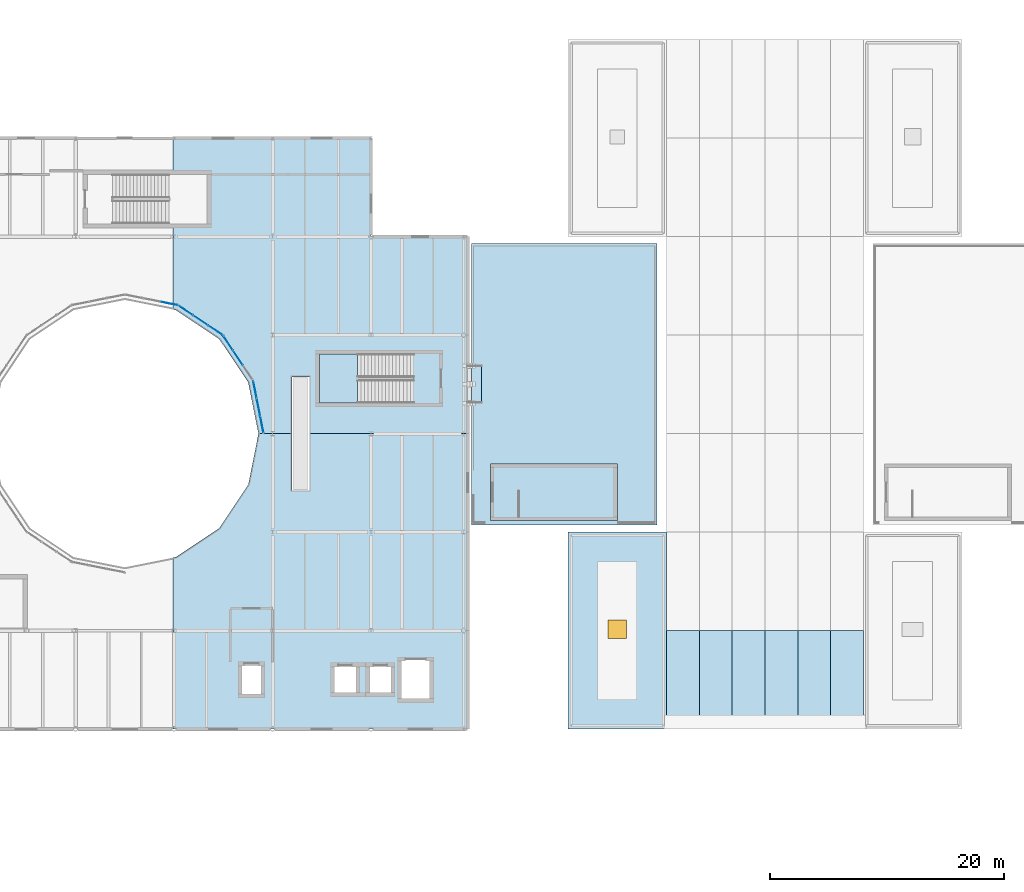
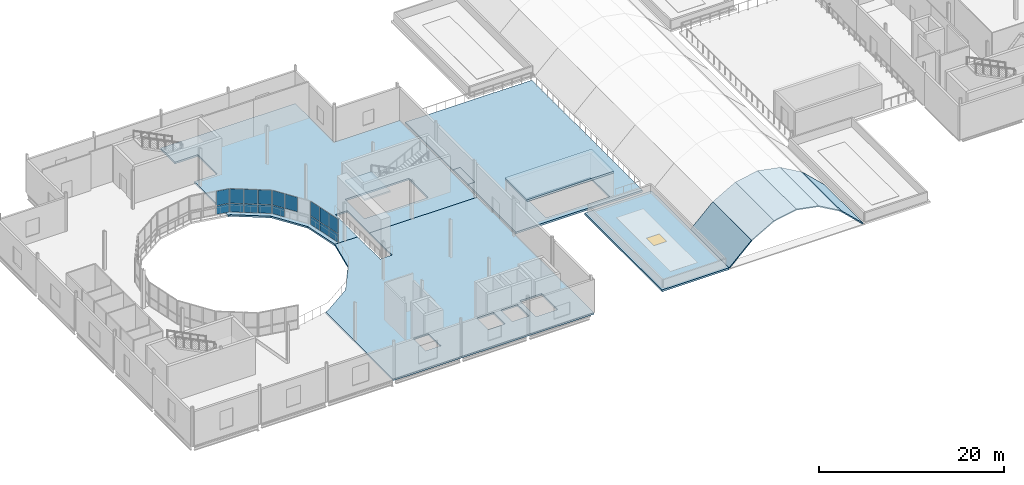
# One storey, part 60 of 91: 17 plates, 13 slabs, 1 window, 1 opening, 5 elements without a shape of their own.
"""IFC4 building model written with IfcOpenShell, lengths in metres."""

from ifc_helpers import new_model, si_unit, direction, frame, origin, origin_2d, place, context, subcontext, project, spatial, polyline, rectangle, outline, extrude, material, layer, layer_set, type_object, element, fill, aggregate, save


model = new_model("IFC4")

# Units and contexts
model_context = context("Model", 3, precision=1e-05, world=origin(), true_north=direction((0.0, 1.0)))
body_context = subcontext(model_context, "Body", "Model", "MODEL_VIEW")
ifc_project = project(units=[si_unit("LENGTHUNIT", "METRE"), si_unit("AREAUNIT", "SQUARE_METRE"), si_unit("VOLUMEUNIT", "CUBIC_METRE"), si_unit("PLANEANGLEUNIT", "RADIAN"), si_unit("MASSUNIT", "GRAM", prefix="KILO"), si_unit("THERMODYNAMICTEMPERATUREUNIT", "KELVIN")], contexts=[model_context])

# Site, building, storey
site_placement = place(None, origin())
site = spatial("IfcSite", under=ifc_project, at=site_placement, CompositionType="ELEMENT")
building_placement = place(site_placement, origin())
building = spatial("IfcBuilding", under=site, at=building_placement, Name="Lustrewick Department Store", CompositionType="ELEMENT")
storey_placement = place(building_placement, frame((0.0, 0.0, 21.60009765625)))
storey = spatial("IfcBuildingStorey", under=building, at=storey_placement, Name="L05", CompositionType="ELEMENT", Elevation=21.60009765625)

# Curtain wall, plates
ifc_material_1 = material(Name="Thermally broken aluminium 6063-T5", Category="aluminium")
ifc_layer_1 = layer(ifc_material_1, 0.169921875, Name="Thermally broken aluminium 6063-T5")
ifc_layer_set_1 = layer_set([ifc_layer_1], Name="Thermally broken aluminium 6063-T5")
curtain_wall_type_1 = type_object("IfcCurtainWallType", Name="CW16", PredefinedType="NOTDEFINED", material=ifc_layer_set_1)
curtain_wall_1_placement = place(storey_placement, origin())
curtain_wall_1 = element("IfcCurtainWall", 1, at=curtain_wall_1_placement, inside=storey, type_object=curtain_wall_type_1, Name="L05 Atrium Glazed Screen CW16", PredefinedType="NOTDEFINED")
ifc_material_2 = material(Name="Fire-protective atrium safety glass", Category="glass")
ifc_layer_2 = layer(ifc_material_2, 0.02490234375, Name="Fire-protective atrium safety glass")
ifc_layer_set_2 = layer_set([ifc_layer_2], Name="Fire-protective atrium safety glass")
plate_type_1 = type_object("IfcPlateType", Name="CP06", PredefinedType="CURTAIN_PANEL", material=ifc_layer_set_2)
plate_1_placement = place(storey_placement, frame((37.125, 76.016357421875, 0.06494140625), z_axis=(0.0, 0.0, 1.0), x_axis=(-0.831464212799, 0.555578313862, 0.0)))
plate_1 = element("IfcPlate", 2, at=plate_1_placement, type_object=plate_type_1, Name="CW16 panel 1.1", PredefinedType="CURTAIN_PANEL", context=body_context, shape_type="SweptSolid", body=[
    extrude(rectangle(XDim=1.443603515625, YDim=0.02490234375, at=origin_2d()), origin(), (0.0, 0.0, 1.0), 1.1025390625),
])
plate_2_placement = place(storey_placement, frame((37.125, 76.016357421875, 1.232421875), z_axis=(0.0, 0.0, 1.0), x_axis=(-0.831464212799, 0.555578313862, 0.0)))
plate_2 = element("IfcPlate", 3, at=plate_2_placement, type_object=plate_type_1, Name="CW16 panel 1.2", PredefinedType="CURTAIN_PANEL", context=body_context, shape_type="SweptSolid", body=[
    extrude(rectangle(XDim=1.443603515625, YDim=0.02490234375, at=origin_2d()), origin(), (0.0, 0.0, 1.0), 1.902587890625),
])
plate_3_placement = place(storey_placement, frame((35.85693359375, 76.863525390625, 0.06494140625), z_axis=(0.0, 0.0, 1.0), x_axis=(-0.831464212799, 0.555578313862, 0.0)))
plate_3 = element("IfcPlate", 4, at=plate_3_placement, type_object=plate_type_1, Name="CW16 panel 2.1", PredefinedType="CURTAIN_PANEL", context=body_context, shape_type="SweptSolid", body=[
    extrude(rectangle(XDim=1.476318359375, YDim=0.02490234375, at=origin_2d()), origin(), (0.0, 0.0, 1.0), 1.1025390625),
])
plate_4_placement = place(storey_placement, frame((35.85693359375, 76.863525390625, 1.232421875), z_axis=(0.0, 0.0, 1.0), x_axis=(-0.831464212799, 0.555578313862, 0.0)))
plate_4 = element("IfcPlate", 5, at=plate_4_placement, type_object=plate_type_1, Name="CW16 panel 2.2", PredefinedType="CURTAIN_PANEL", context=body_context, shape_type="SweptSolid", body=[
    extrude(rectangle(XDim=1.476318359375, YDim=0.02490234375, at=origin_2d()), origin(), (0.0, 0.0, 1.0), 1.902587890625),
])
plate_5_placement = place(storey_placement, frame((34.589111328125, 77.7109375, 0.06494140625), z_axis=(0.0, 0.0, 1.0), x_axis=(-0.831464212799, 0.555578313862, 0.0)))
plate_5 = element("IfcPlate", 6, at=plate_5_placement, type_object=plate_type_1, Name="CW16 panel 3.1", PredefinedType="CURTAIN_PANEL", context=body_context, shape_type="SweptSolid", body=[
    extrude(rectangle(XDim=1.443603515625, YDim=0.02490234375, at=origin_2d()), origin(), (0.0, 0.0, 1.0), 1.1025390625),
])
plate_6_placement = place(storey_placement, frame((34.589111328125, 77.7109375, 1.232421875), z_axis=(0.0, 0.0, 1.0), x_axis=(-0.831464212799, 0.555578313862, 0.0)))
plate_6 = element("IfcPlate", 7, at=plate_6_placement, type_object=plate_type_1, Name="CW16 panel 3.2", PredefinedType="CURTAIN_PANEL", context=body_context, shape_type="SweptSolid", body=[
    extrude(rectangle(XDim=1.443603515625, YDim=0.02490234375, at=origin_2d()), origin(), (0.0, 0.0, 1.0), 1.902587890625),
])
aggregate(curtain_wall_1, [plate_1, plate_2, plate_3, plate_4, plate_5, plate_6])

ifc_layer_3 = layer(ifc_material_1, 0.159912109375, Name="Thermally broken aluminium 6063-T5")
ifc_layer_set_3 = layer_set([ifc_layer_3], Name="Thermally broken aluminium 6063-T5")
curtain_wall_type_2 = type_object("IfcCurtainWallType", Name="CW17", PredefinedType="NOTDEFINED", material=ifc_layer_set_3)
curtain_wall_2_placement = place(storey_placement, origin())
curtain_wall_2 = element("IfcCurtainWall", 8, at=curtain_wall_2_placement, inside=storey, type_object=curtain_wall_type_2, Name="L05 Atrium Glazed Screen CW17", PredefinedType="NOTDEFINED")
ifc_layer_4 = layer(ifc_material_2, 0.027099609375, Name="Fire-protective atrium safety glass")
ifc_layer_set_4 = layer_set([ifc_layer_4], Name="Fire-protective atrium safety glass")
plate_type_2 = type_object("IfcPlateType", Name="CP07", PredefinedType="CURTAIN_PANEL", material=ifc_layer_set_4)
plate_7_placement = place(storey_placement, frame((41.0966796875, 67.970458984375, 0.06005859375), z_axis=(0.0, 0.0, 1.0), x_axis=(-0.195084537521, 0.980786430993, 0.0)))
plate_7 = element("IfcPlate", 9, at=plate_7_placement, type_object=plate_type_2, Name="CW17 panel 1.1", PredefinedType="CURTAIN_PANEL", context=body_context, shape_type="SweptSolid", body=[
    extrude(rectangle(XDim=1.451171875, YDim=0.027099609375, at=origin_2d()), origin(), (0.0, 0.0, 1.0), 1.110107421875),
])
plate_8_placement = place(storey_placement, frame((41.0966796875, 67.970458984375, 1.22998046875), z_axis=(0.0, 0.0, 1.0), x_axis=(-0.195084537521, 0.980786430993, 0.0)))
plate_8 = element("IfcPlate", 10, at=plate_8_placement, type_object=plate_type_2, Name="CW17 panel 1.2", PredefinedType="CURTAIN_PANEL", context=body_context, shape_type="SweptSolid", body=[
    extrude(rectangle(XDim=1.451171875, YDim=0.027099609375, at=origin_2d()), origin(), (0.0, 0.0, 1.0), 1.909912109375),
])
plate_9_placement = place(storey_placement, frame((40.799072265625, 69.46728515625, 0.06005859375), z_axis=(0.0, 0.0, 1.0), x_axis=(-0.195084537521, 0.980786430993, 0.0)))
plate_9 = element("IfcPlate", 11, at=plate_9_placement, type_object=plate_type_2, Name="CW17 panel 2.1", PredefinedType="CURTAIN_PANEL", context=body_context, shape_type="SweptSolid", body=[
    extrude(rectangle(XDim=1.481201171875, YDim=0.027099609375, at=origin_2d()), origin(), (0.0, 0.0, 1.0), 1.110107421875),
])
plate_10_placement = place(storey_placement, frame((40.799072265625, 69.46728515625, 1.22998046875), z_axis=(0.0, 0.0, 1.0), x_axis=(-0.195084537521, 0.980786430993, 0.0)))
plate_10 = element("IfcPlate", 12, at=plate_10_placement, type_object=plate_type_2, Name="CW17 panel 2.2", PredefinedType="CURTAIN_PANEL", context=body_context, shape_type="SweptSolid", body=[
    extrude(rectangle(XDim=1.481201171875, YDim=0.027099609375, at=origin_2d()), origin(), (0.0, 0.0, 1.0), 1.909912109375),
])
plate_11_placement = place(storey_placement, frame((40.501220703125, 70.96435546875, 0.06005859375), z_axis=(0.0, 0.0, 1.0), x_axis=(-0.195084537521, 0.980786430993, 0.0)))
plate_11 = element("IfcPlate", 13, at=plate_11_placement, type_object=plate_type_2, Name="CW17 panel 3.1", PredefinedType="CURTAIN_PANEL", context=body_context, shape_type="SweptSolid", body=[
    extrude(rectangle(XDim=1.451171875, YDim=0.027099609375, at=origin_2d()), origin(), (0.0, 0.0, 1.0), 1.110107421875),
])
plate_12_placement = place(storey_placement, frame((40.501220703125, 70.96435546875, 1.22998046875), z_axis=(0.0, 0.0, 1.0), x_axis=(-0.195084537521, 0.980786430993, 0.0)))
plate_12 = element("IfcPlate", 14, at=plate_12_placement, type_object=plate_type_2, Name="CW17 panel 3.2", PredefinedType="CURTAIN_PANEL", context=body_context, shape_type="SweptSolid", body=[
    extrude(rectangle(XDim=1.451171875, YDim=0.027099609375, at=origin_2d()), origin(), (0.0, 0.0, 1.0), 1.909912109375),
])
aggregate(curtain_wall_2, [plate_7, plate_8, plate_9, plate_10, plate_11, plate_12])

curtain_wall_3_placement = place(storey_placement, origin())
curtain_wall_3 = element("IfcCurtainWall", 15, at=curtain_wall_3_placement, inside=storey, type_object=curtain_wall_type_2, Name="L05 Atrium Glazed Screen CW17", PredefinedType="NOTDEFINED")
plate_13_placement = place(storey_placement, frame((33.164306640625, 78.30126953125, 0.06005859375), z_axis=(0.0, 0.0, 1.0), x_axis=(-0.980786430993, 0.195084537521, 0.0)))
plate_13 = element("IfcPlate", 16, at=plate_13_placement, type_object=plate_type_2, Name="CW17 panel 1.1", PredefinedType="CURTAIN_PANEL", context=body_context, shape_type="SweptSolid", body=[
    extrude(rectangle(XDim=1.451171875, YDim=0.027099609375, at=origin_2d()), origin(), (0.0, 0.0, 1.0), 1.110107421875),
])
plate_14_placement = place(storey_placement, frame((33.164306640625, 78.30126953125, 1.22998046875), z_axis=(0.0, 0.0, 1.0), x_axis=(-0.980786430993, 0.195084537521, 0.0)))
plate_14 = element("IfcPlate", 17, at=plate_14_placement, type_object=plate_type_2, Name="CW17 panel 1.2", PredefinedType="CURTAIN_PANEL", context=body_context, shape_type="SweptSolid", body=[
    extrude(rectangle(XDim=1.451171875, YDim=0.027099609375, at=origin_2d()), origin(), (0.0, 0.0, 1.0), 1.909912109375),
])
aggregate(curtain_wall_3, [plate_13, plate_14])

ifc_layer_5 = layer(ifc_material_1, 0.14990234375, Name="Thermally broken aluminium 6063-T5")
ifc_layer_set_5 = layer_set([ifc_layer_5], Name="Thermally broken aluminium 6063-T5")
curtain_wall_type_3 = type_object("IfcCurtainWallType", Name="CW18", PredefinedType="NOTDEFINED", material=ifc_layer_set_5)
curtain_wall_4_placement = place(storey_placement, origin())
curtain_wall_4 = element("IfcCurtainWall", 18, at=curtain_wall_4_placement, inside=storey, type_object=curtain_wall_type_3, Name="L05 Atrium Glazed Screen CW18", PredefinedType="NOTDEFINED")
ifc_material_3 = material(Name="Fire-protective arcade safety glass", Category="glass")
ifc_layer_6 = layer(ifc_material_3, 0.029052734375, Name="Fire-protective arcade safety glass")
ifc_layer_set_6 = layer_set([ifc_layer_6], Name="Fire-protective arcade safety glass")
plate_type_3 = type_object("IfcPlateType", Name="CP08", PredefinedType="CURTAIN_PANEL", material=ifc_layer_set_6)
plate_15_placement = place(storey_placement, frame((39.063720703125, 73.656982421875, 1.22998046875), z_axis=(0.0, 0.0, 1.0), x_axis=(-0.555578313862, 0.831464212799, 0.0)))
plate_15 = element("IfcPlate", 19, at=plate_15_placement, type_object=plate_type_3, Name="CW18 panel 2.2", PredefinedType="CURTAIN_PANEL", context=body_context, shape_type="SweptSolid", body=[
    extrude(rectangle(XDim=1.481201171875, YDim=0.029052734375, at=origin_2d()), origin(), (0.0, 0.0, 1.0), 1.909912109375),
])
plate_16_placement = place(storey_placement, frame((38.215576171875, 74.926025390625, 0.06005859375), z_axis=(0.0, 0.0, 1.0), x_axis=(-0.555578313862, 0.831464212799, 0.0)))
plate_16 = element("IfcPlate", 20, at=plate_16_placement, type_object=plate_type_3, Name="CW18 panel 3.1", PredefinedType="CURTAIN_PANEL", context=body_context, shape_type="SweptSolid", body=[
    extrude(rectangle(XDim=1.451171875, YDim=0.029052734375, at=origin_2d()), origin(), (0.0, 0.0, 1.0), 1.110107421875),
])
plate_17_placement = place(storey_placement, frame((38.215576171875, 74.926025390625, 1.22998046875), z_axis=(0.0, 0.0, 1.0), x_axis=(-0.555578313862, 0.831464212799, 0.0)))
plate_17 = element("IfcPlate", 21, at=plate_17_placement, type_object=plate_type_3, Name="CW18 panel 3.2", PredefinedType="CURTAIN_PANEL", context=body_context, shape_type="SweptSolid", body=[
    extrude(rectangle(XDim=1.451171875, YDim=0.029052734375, at=origin_2d()), origin(), (0.0, 0.0, 1.0), 1.909912109375),
])
aggregate(curtain_wall_4, [plate_15, plate_16, plate_17])

# Slabs
ifc_material_4 = material(Name="Concrete C30", Category="concrete")
ifc_layer_7 = layer(ifc_material_4, 0.22998046875, Name="Concrete C30")
ifc_layer_set_7 = layer_set([ifc_layer_7], Name="Concrete C30")
slab_type_1 = type_object("IfcSlabType", Name="FS05", PredefinedType="FLOOR", material=ifc_layer_set_7)
slab_1_placement = place(storey_placement, frame((0.0, 0.0, -0.22998046875)))
element("IfcSlab", 22, at=slab_1_placement, inside=storey, type_object=slab_type_1, Name="L05 V1 Floor Slab FS05", PredefinedType="FLOOR", context=body_context, shape_type="SweptSolid", body=[
    extrude(outline(polyline([(58.64990234375, 42.0), (58.64990234375, 67.199951171875), (45.14990234375, 67.199951171875), (45.14990234375, 62.35009765625), (43.64990234375, 62.35009765625), (43.64990234375, 67.199951171875), (40.800048828125, 67.199951171875), (39.93212890625, 62.83740234375), (37.4609375, 59.138916015625), (33.7626953125, 56.667724609375), (33.52490234375, 56.62060546875), (33.52490234375, 42.0), (58.64990234375, 42.0)]), holes=[polyline([(55.550048828125, 44.449951171875), (52.85009765625, 44.449951171875), (52.85009765625, 47.949951171875), (55.550048828125, 47.949951171875), (55.550048828125, 44.449951171875)]), polyline([(50.14990234375, 44.949951171875), (50.14990234375, 47.449951171875), (52.25, 47.449951171875), (52.25, 44.949951171875), (50.14990234375, 44.949951171875)]), polyline([(47.14990234375, 44.949951171875), (47.14990234375, 47.449951171875), (49.25, 47.449951171875), (49.25, 44.949951171875), (47.14990234375, 44.949951171875)]), polyline([(41.14990234375, 44.85009765625), (39.25, 44.85009765625), (39.25, 47.550048828125), (41.14990234375, 47.550048828125), (41.14990234375, 44.85009765625)])]), origin(), (0.0, 0.0, 1.0), 0.22998046875),
])
slab_2_placement = place(storey_placement, frame((0.0, 0.0, -0.22998046875)))
element("IfcSlab", 23, at=slab_2_placement, inside=storey, type_object=slab_type_1, Name="L05 V1 Floor Slab FS05", PredefinedType="FLOOR", context=body_context, shape_type="SweptSolid", body=[
    extrude(outline(polyline([(58.64990234375, 67.199951171875), (58.64990234375, 84.0), (50.39990234375, 84.0), (50.39990234375, 92.39990234375), (33.52490234375, 92.39990234375), (33.52490234375, 89.300048828125), (36.39990234375, 89.300048828125), (36.39990234375, 85.10009765625), (33.52490234375, 85.10009765625), (33.52490234375, 77.779541015625), (33.7626953125, 77.732177734375), (37.4609375, 75.260986328125), (39.93212890625, 71.5625), (40.800048828125, 67.199951171875), (43.64990234375, 67.199951171875), (43.64990234375, 72.050048828125), (45.14990234375, 72.050048828125), (45.14990234375, 67.199951171875), (58.64990234375, 67.199951171875)]), holes=[polyline([(46.0, 69.800048828125), (46.0, 74.0), (53.97998046875, 74.0), (53.97998046875, 69.800048828125), (46.0, 69.800048828125)])]), origin(), (0.0, 0.0, 1.0), 0.22998046875),
])
ifc_layer_8 = layer(ifc_material_4, 0.215087890625, Name="Concrete C30")
ifc_layer_set_8 = layer_set([ifc_layer_8], Name="Concrete C30")
slab_type_2 = type_object("IfcSlabType", Name="FS10", PredefinedType="FLOOR", material=ifc_layer_set_8)
slab_3_placement = place(storey_placement, frame((0.0, 0.0, -0.215087890625)))
element("IfcSlab", 24, at=slab_3_placement, inside=storey, type_object=slab_type_2, Name="L05 Skybridge SB12 Deck Slab", PredefinedType="FLOOR", context=body_context, shape_type="SweptSolid", body=[
    extrude(outline(polyline([(59.830078125, 69.800048828125), (59.830078125, 73.0), (58.955078125, 73.0), (58.955078125, 69.800048828125), (59.830078125, 69.800048828125)])), origin(), (0.0, 0.0, 1.0), 0.215087890625),
])

# Stair, slab
stair_type = type_object("IfcStairType", Name="ST-H51", PredefinedType="HALF_TURN_STAIR", material=ifc_material_4)
stair_placement = place(storey_placement, origin())
stair = element("IfcStair", 25, at=stair_placement, inside=storey, type_object=stair_type, Name="L05 Smoke-Proof Exit Stair ST02", PredefinedType="HALF_TURN_STAIR")
ifc_layer_9 = layer(ifc_material_4, 0.199951171875, Name="Concrete C30")
ifc_layer_set_9 = layer_set([ifc_layer_9], Name="Concrete C30")
slab_type_3 = type_object("IfcSlabType", Name="LS01", PredefinedType="LANDING", material=ifc_layer_set_9)
slab_4_placement = place(storey_placement, frame((0.0, 0.0, 2.349853515625)))
slab_4 = element("IfcSlab", 26, at=slab_4_placement, type_object=slab_type_3, Name="ST-H51 landing 1", PredefinedType="LANDING", context=body_context, shape_type="SweptSolid", body=[
    extrude(outline(polyline([(49.25, 74.0), (46.0, 74.0), (46.0, 69.800048828125), (49.25, 69.800048828125), (49.25, 74.0)])), origin(), (0.0, 0.0, 1.0), 0.199951171875),
])
aggregate(stair, [slab_4])

# Slab, opening, window
ifc_material_5 = material(Name="Concrete C35", Category="concrete")
ifc_layer_10 = layer(ifc_material_5, 0.248046875, Name="Concrete C35")
ifc_layer_set_10 = layer_set([ifc_layer_10], Name="Concrete C35")
slab_type_4 = type_object("IfcSlabType", Name="RS01", PredefinedType="ROOF", material=ifc_layer_set_10)
slab_5_placement = place(storey_placement, frame((0.0, 0.0, -0.248046875)))
slab_5 = element("IfcSlab", 27, at=slab_5_placement, inside=storey, type_object=slab_type_4, Name="L05 Flat Insulated Roof V2-S", PredefinedType="ROOF", context=body_context, shape_type="SweptSolid", body=[
    extrude(outline(polyline([(75.60009765625, 42.0), (75.60009765625, 58.800048828125), (67.199951171875, 58.800048828125), (67.199951171875, 42.0), (75.60009765625, 42.0)])), origin(), (0.0, 0.0, 1.0), 0.248046875),
])
opening_placement = place(slab_5_placement, frame((71.39990234375, 50.5078125, -0.010009765625)))
opening = element("IfcOpeningElement", 28, at=opening_placement, cuts=slab_5, Name="Opening SK03", PredefinedType="OPENING", context=body_context, shape_type="SweptSolid", body=[
    extrude(rectangle(XDim=1.60009765625, YDim=1.60009765625, at=origin_2d()), origin(), (0.0, 0.0, 1.0), 0.26806640625),
])
ifc_material_6 = material(Name="Thermally broken Low-E triple-glazed skylight", Category="glass")
window_type = type_object("IfcWindowType", Name="SK03", PartitioningType="SINGLE_PANEL", PredefinedType="SKYLIGHT", material=ifc_material_6)
window_placement = place(opening_placement, frame((0.0, 0.0, 0.2080078125)))
window = element("IfcWindow", 29, at=window_placement, inside=storey, type_object=window_type, Name="L05 Roof Skylight SK03", OverallHeight=1.60009765625, OverallWidth=1.60009765625, PartitioningType="SINGLE_PANEL", PredefinedType="SKYLIGHT", context=body_context, shape_type="SweptSolid", body=[
    extrude(rectangle(XDim=1.60009765625, YDim=1.60009765625, at=origin_2d()), origin(), (0.0, 0.0, 1.0), 0.050048828125),
])
fill(opening, window)

# Slabs
ifc_layer_11 = layer(ifc_material_5, 0.26806640625, Name="Concrete C35")
ifc_layer_set_11 = layer_set([ifc_layer_11], Name="Concrete C35")
slab_type_5 = type_object("IfcSlabType", Name="RS02", PredefinedType="ROOF", material=ifc_layer_set_11)
slab_6_placement = place(storey_placement, frame((0.0, 0.0, 3.199951171875)))
element("IfcSlab", 30, at=slab_6_placement, inside=storey, type_object=slab_type_5, Name="L05 Stair ST04 Head-House Roof Slab", PredefinedType="ROOF", context=body_context, shape_type="SweptSolid", body=[
    extrude(outline(polyline([(71.419921875, 59.780029296875), (71.419921875, 64.6201171875), (60.580078125, 64.6201171875), (60.580078125, 59.780029296875), (71.419921875, 59.780029296875)])), origin(), (0.0, 0.0, 1.0), 0.26806640625),
])
ifc_material_7 = material(Name="Low-E laminated safety glass", Category="glass")
ifc_layer_12 = layer(ifc_material_7, 0.1298828125, Name="Low-E laminated safety glass")
ifc_layer_set_12 = layer_set([ifc_layer_12], Name="Low-E laminated safety glass")
slab_type_6 = type_object("IfcSlabType", Name="RS04", PredefinedType="ROOF", material=ifc_layer_set_12)
slab_7_placement = place(storey_placement, frame((75.60009765625, 42.0, 0.0), z_axis=(-0.689658325851, 0.0, 0.724134927748), x_axis=(0.724134927748, 0.0, 0.689658325851)))
element("IfcSlab", 31, at=slab_7_placement, inside=storey, type_object=slab_type_6, Name="V2 Verriere Barrel Roof Facet 1.1", PredefinedType="ROOF", context=body_context, shape_type="SweptSolid", body=[
    extrude(outline(polyline([(0.0, 0.0), (3.866412984950454, 0.0), (3.866412984950454, 8.399902343750002), (0.0, 8.399902343750002), (0.0, 0.0)])), origin(), (0.0, 0.0, -1.0), 0.1298828125),
])
slab_8_placement = place(storey_placement, frame((78.39990234375, 42.0, 2.66650390625), z_axis=(-0.496155243458, 0.0, 0.868233824721), x_axis=(0.868233824721, 0.0, 0.496155243458)))
element("IfcSlab", 32, at=slab_8_placement, inside=storey, type_object=slab_type_6, Name="V2 Verriere Barrel Roof Facet 1.2", PredefinedType="ROOF", context=body_context, shape_type="SweptSolid", body=[
    extrude(outline(polyline([(0.0, 0.0), (3.224993945640973, 0.0), (3.224993945640973, 8.39990234375), (0.0, 8.39990234375), (0.0, 0.0)])), origin(), (0.0, 0.0, -1.0), 0.1298828125),
])
for number, where, z_axis, x_axis, name in (
    (33, (81.199951171875, 42.0, 4.2666015625), (-0.18706487702, 0.0, 0.982347561602), (0.982347561602, 0.0, 0.18706487702), "V2 Verriere Barrel Roof Facet 1.3"),
    (34, (84.0, 42.0, 4.7998046875), (0.18706487702, 0.0, 0.982347561602), (0.982347561602, 0.0, -0.18706487702), "V2 Verriere Barrel Roof Facet 1.4"),
):
    element("IfcSlab", number, at=place(storey_placement, frame(where, z_axis=z_axis, x_axis=x_axis)), inside=storey, type_object=slab_type_6, Name=name, PredefinedType="ROOF", context=body_context, shape_type="SweptSolid", body=[
        extrude(outline(polyline([(0.0, 0.0), (2.8503647156800747, 0.0), (2.8503647156800747, 8.399902343750002), (0.0, 8.399902343750002), (0.0, 0.0)])), origin(), (0.0, 0.0, -1.0), 0.1298828125),
    ])
slab_9_placement = place(storey_placement, frame((86.800048828125, 42.0, 4.2666015625), z_axis=(0.496155243458, 0.0, 0.868233824721), x_axis=(0.868233824721, 0.0, -0.496155243458)))
element("IfcSlab", 35, at=slab_9_placement, inside=storey, type_object=slab_type_6, Name="V2 Verriere Barrel Roof Facet 1.5", PredefinedType="ROOF", context=body_context, shape_type="SweptSolid", body=[
    extrude(outline(polyline([(0.0, 0.0), (3.224993945640973, 0.0), (3.224993945640973, 8.39990234375), (0.0, 8.39990234375), (0.0, 0.0)])), origin(), (0.0, 0.0, -1.0), 0.1298828125),
])
slab_10_placement = place(storey_placement, frame((89.60009765625, 42.0, 2.66650390625), z_axis=(0.689658325851, 0.0, 0.724134927748), x_axis=(0.724134927748, 0.0, -0.689658325851)))
element("IfcSlab", 36, at=slab_10_placement, inside=storey, type_object=slab_type_6, Name="V2 Verriere Barrel Roof Facet 1.6", PredefinedType="ROOF", context=body_context, shape_type="SweptSolid", body=[
    extrude(outline(polyline([(0.0, 0.0), (3.866412984950454, 0.0), (3.866412984950454, 8.399902343750002), (0.0, 8.399902343750002), (0.0, 0.0)])), origin(), (0.0, 0.0, -1.0), 0.1298828125),
])
ifc_layer_13 = layer(ifc_material_5, 0.2548828125, Name="Concrete C35")
ifc_layer_set_13 = layer_set([ifc_layer_13], Name="Concrete C35")
slab_type_7 = type_object("IfcSlabType", Name="TS02", PredefinedType="FLOOR", material=ifc_layer_set_13)
slab_11_placement = place(storey_placement, frame((0.0, 0.0, -0.255126953125)))
element("IfcSlab", 37, at=slab_11_placement, inside=storey, type_object=slab_type_7, Name="L05 V2_REF_W Fire Refuge Deck TS02", PredefinedType="FLOOR", context=body_context, shape_type="SweptSolid", body=[
    extrude(outline(polyline([(58.949951171875, 73.0048828125), (59.8349609375, 73.0048828125), (59.8349609375, 69.794921875), (58.949951171875, 69.794921875), (58.949951171875, 59.39990234375), (74.800048828125, 59.39990234375), (74.800048828125, 83.39990234375), (58.949951171875, 83.39990234375), (58.949951171875, 73.0048828125)]), holes=[polyline([(71.10009765625, 60.10009765625), (63.1201171875, 60.10009765625), (63.1201171875, 64.300048828125), (71.10009765625, 64.300048828125), (71.10009765625, 60.10009765625)])]), origin(), (0.0, 0.0, 1.0), 0.255126953125),
])

save(model, "model.ifc")
